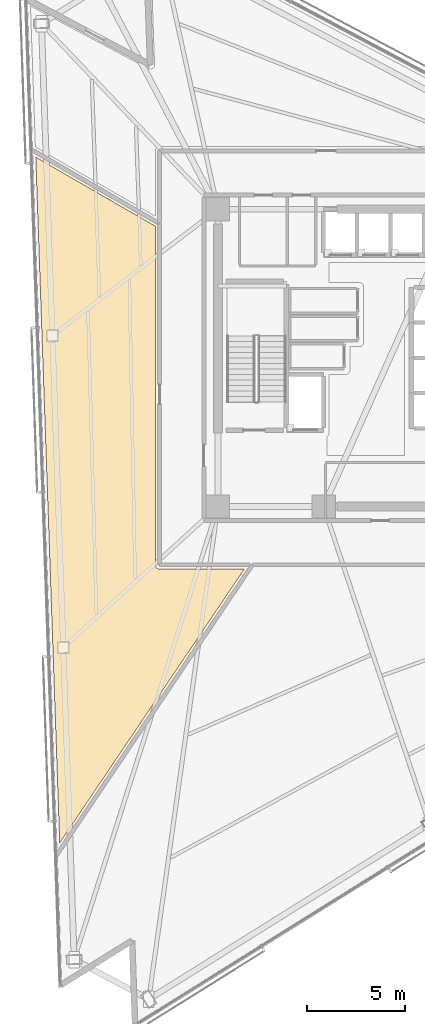
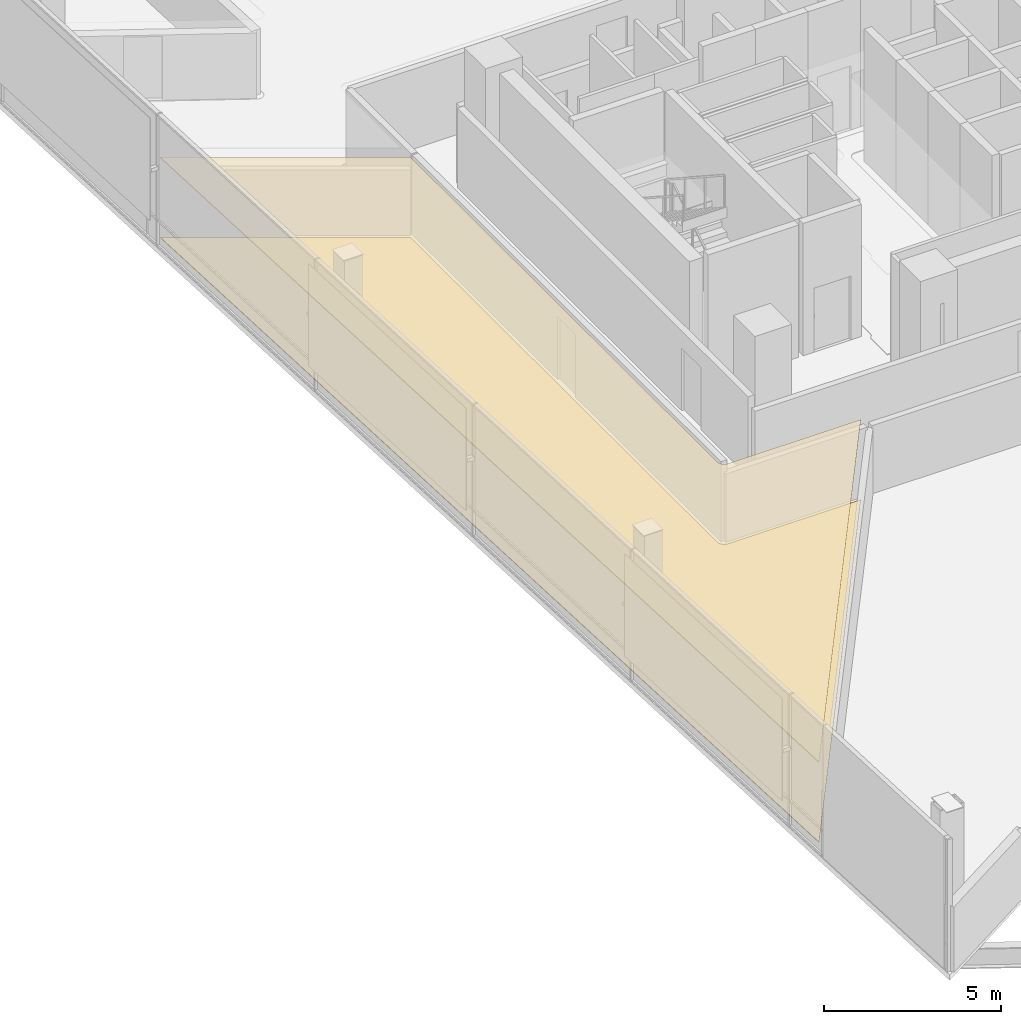
# One storey, part 17 of 19: 2 coverings.
"""IFC4 building model written with IfcOpenShell, lengths in metres."""

import ifcopenshell
import ifcopenshell.guid

model = None  # the IFC model being written
_history = None  # IfcOwnerHistory: only IFC2X3 demands one
_inside = {}  # id of a spatial element -> (the spatial element, [elements in it])
_under = {}  # id of a project, library or spatial element -> (it, [spatial elements below it])
_declared = {}  # id of a project -> (the project, [libraries it declares])
_typed = {}  # id of a type object -> (the type object, [elements of that type])
_made_of = {}  # id of a material, layer set ... -> (it, [elements and type objects made of it])


def new_model(schema):
    """Start an empty IFC model of exactly this schema.

    Asked for "IFC4X3", IfcOpenShell would pick the latest addendum, in which some entities
    have other attributes; the version numbers below select the first issue.
    IFC2X3 requires an IfcOwnerHistory on every rooted entity: one is made here for all.
    """
    global model, _history
    if schema == "IFC4X3":
        model = ifcopenshell.file(schema_version=(4, 3, 0, 0))
    else:
        model = ifcopenshell.file(schema=schema)
    _inside.clear()
    _under.clear()
    _declared.clear()
    _typed.clear()
    _made_of.clear()
    _history = None
    if model.schema == "IFC2X3":
        org = make("IfcOrganization", Name="unknown")
        user = make(
            "IfcPersonAndOrganization",
            ThePerson=make("IfcPerson", FamilyName="unknown"),
            TheOrganization=org,
        )
        app = make(
            "IfcApplication",
            ApplicationDeveloper=org,
            Version="unknown",
            ApplicationFullName="unknown",
            ApplicationIdentifier="unknown",
        )
        _history = make(
            "IfcOwnerHistory",
            OwningUser=user,
            OwningApplication=app,
            ChangeAction="ADDED",
            CreationDate=0,
        )
    return model


def make(cls, **values):
    """One entity of the class cls with the attributes given. An attribute that is None is left unset."""
    return model.create_entity(
        cls, **{name: value for name, value in values.items() if value is not None}
    )


def rooted(cls, **values):
    """An entity with a GlobalId (a new one), such as an element, a storey or a relation."""
    return make(cls, GlobalId=ifcopenshell.guid.new(), OwnerHistory=_history, **values)


def si_unit(unit_type, name, prefix=None):
    """IfcSIUnit, for example si_unit("LENGTHUNIT", "METRE", prefix="MILLI")."""
    return make("IfcSIUnit", UnitType=unit_type, Prefix=prefix, Name=name)


def assignment(units):
    """IfcUnitAssignment: the units of a project."""
    return None if units is None else make("IfcUnitAssignment", Units=units)


def point(xyz):
    """IfcCartesianPoint."""
    return None if xyz is None else make("IfcCartesianPoint", Coordinates=xyz)


def direction(xyz):
    """IfcDirection."""
    return None if xyz is None else make("IfcDirection", DirectionRatios=xyz)


def frame(location, z_axis=None, x_axis=None):
    """IfcAxis2Placement3D, a coordinate frame: its origin and axes. An axis left out is left unset."""
    return make(
        "IfcAxis2Placement3D",
        Location=point(location),
        Axis=direction(z_axis),
        RefDirection=direction(x_axis),
    )


def origin():
    """The frame at (0, 0, 0) with its axes left unset."""
    return frame((0.0, 0.0, 0.0))


def place(relative_to, where):
    """IfcLocalPlacement: puts the frame where relative to a parent placement (None: the world)."""
    return make(
        "IfcLocalPlacement", PlacementRelTo=relative_to, RelativePlacement=where
    )


def context(
    kind, dimensions, precision=None, world=None, true_north=None, identifier=None
):
    """IfcGeometricRepresentationContext, for example the 3D "Model" context."""
    return make(
        "IfcGeometricRepresentationContext",
        ContextIdentifier=identifier,
        ContextType=kind,
        CoordinateSpaceDimension=dimensions,
        Precision=precision,
        WorldCoordinateSystem=world,
        TrueNorth=true_north,
    )


def subcontext(parent, identifier, kind, view, scale=None):
    """IfcGeometricRepresentationSubContext, for example "Body" below "Model"."""
    return make(
        "IfcGeometricRepresentationSubContext",
        ContextIdentifier=identifier,
        ContextType=kind,
        ParentContext=parent,
        TargetScale=scale,
        TargetView=view,
    )


def project(units=None, contexts=None):
    """IfcProject with its units and contexts."""
    return rooted(
        "IfcProject",
        Name="project",
        RepresentationContexts=contexts,
        UnitsInContext=assignment(units),
    )


def spatial(cls, under=None, at=None, **own):
    """A site, building, storey or space (cls), placed at a placement, below another one or the project."""
    s = rooted(cls, ObjectPlacement=at, **own)
    if under is not None:
        _under.setdefault(under.id(), (under, []))[1].append(s)
    return s


def polyline(points):
    """IfcPolyline through the points."""
    return make("IfcPolyline", Points=[point(p) for p in points])


def outline(outer, holes=None, kind="AREA"):
    """IfcArbitraryClosedProfileDef: a profile drawn as a closed curve; with holes, ...WithVoids."""
    if holes is None:
        return make("IfcArbitraryClosedProfileDef", ProfileType=kind, OuterCurve=outer)
    return make(
        "IfcArbitraryProfileDefWithVoids",
        ProfileType=kind,
        OuterCurve=outer,
        InnerCurves=holes,
    )


def extrude(swept, where, along, depth):
    """IfcExtrudedAreaSolid: the profile swept, set in the frame where, extruded along a direction by depth."""
    return make(
        "IfcExtrudedAreaSolid",
        SweptArea=swept,
        Position=where,
        ExtrudedDirection=direction(along),
        Depth=depth,
    )


def shape(context_of_items, identifier, shape_type, items):
    """IfcShapeRepresentation: the items that make up one representation, for example the "Body"."""
    return make(
        "IfcShapeRepresentation",
        ContextOfItems=context_of_items,
        RepresentationIdentifier=identifier,
        RepresentationType=shape_type,
        Items=items,
    )


def material(Name=None, Category=None):
    """IfcMaterial."""
    return make("IfcMaterial", Name=Name, Category=Category)


def layer(
    of_material, thickness, ventilated=None, Name=None, Category=None, Priority=None
):
    """IfcMaterialLayer: one layer of a wall or slab, of a material (None: an air gap)."""
    return make(
        "IfcMaterialLayer",
        Material=of_material,
        LayerThickness=thickness,
        IsVentilated=ventilated,
        Name=Name,
        Category=Category,
        Priority=Priority,
    )


def layer_set(layers, Name=None):
    """IfcMaterialLayerSet."""
    return make("IfcMaterialLayerSet", MaterialLayers=layers, LayerSetName=Name)


def made_of(thing, what):
    """Note that an element or type object is made of a material, layer set ...; save() writes the relation."""
    if what is not None:
        _made_of.setdefault(what.id(), (what, []))[1].append(thing)
    return thing


def type_object(cls, material=None, **own):
    """A type object (cls), such as IfcWallType, which elements share."""
    return made_of(rooted(cls, **own), material)


def element(
    cls,
    number,
    at=None,
    inside=None,
    cuts=None,
    type_object=None,
    material=None,
    context=None,
    identifier="Body",
    shape_type=None,
    held_by="IfcProductDefinitionShape",
    body=None,
    shapes=None,
    **own,
):
    """One element of the class cls, such as IfcWall. Its Tag is "e" and its number.

    at: its placement. inside: the storey or other place that contains it. cuts: it is an
    opening in that element (IfcRelVoidsElement). A single representation is given by context,
    identifier, shape_type and body (its items); several are given by shapes. held_by: the class
    of the entity that holds the representations. save() writes the other relations.
    """
    e = rooted(cls, Tag="e%d" % number, ObjectPlacement=at, **own)
    if body is not None:
        shapes = [shape(context, identifier, shape_type, body)]
    if shapes is not None:
        e.Representation = make(held_by, Representations=shapes)
    if inside is not None:
        _inside.setdefault(inside.id(), (inside, []))[1].append(e)
    if cuts is not None:
        rooted(
            "IfcRelVoidsElement", RelatingBuildingElement=cuts, RelatedOpeningElement=e
        )
    if type_object is not None:
        _typed.setdefault(type_object.id(), (type_object, []))[1].append(e)
    return made_of(e, material)


def aggregate(whole, parts):
    """IfcRelAggregates: a whole, such as a stair, and the parts it consists of."""
    return rooted("IfcRelAggregates", RelatingObject=whole, RelatedObjects=parts)


def save(model, path):
    """Write the relations noted so far, then the file.

    IfcRelAggregates (storeys below a building ...), IfcRelContainedInSpatialStructure (elements
    in a storey), IfcRelDefinesByType, IfcRelAssociatesMaterial and IfcRelDeclares: one each for
    every whole, place, type object, material and project.
    """
    for whole, parts in _under.values():
        aggregate(whole, parts)
    for where, things in _inside.values():
        rooted(
            "IfcRelContainedInSpatialStructure",
            RelatedElements=things,
            RelatingStructure=where,
        )
    for kind, things in _typed.values():
        rooted("IfcRelDefinesByType", RelatedObjects=things, RelatingType=kind)
    for what, things in _made_of.values():
        rooted("IfcRelAssociatesMaterial", RelatedObjects=things, RelatingMaterial=what)
    for by, libraries in _declared.values():
        rooted("IfcRelDeclares", RelatingContext=by, RelatedDefinitions=libraries)
    model.write(path)


model = new_model("IFC4")

# Units and contexts
model_context = context("Model", 3, precision=1e-05, world=origin(), true_north=direction((0.0, 1.0)))
body_context = subcontext(model_context, "Body", "Model", "MODEL_VIEW")
ifc_project = project(units=[si_unit("LENGTHUNIT", "METRE"), si_unit("AREAUNIT", "SQUARE_METRE"), si_unit("VOLUMEUNIT", "CUBIC_METRE"), si_unit("PLANEANGLEUNIT", "RADIAN"), si_unit("MASSUNIT", "GRAM", prefix="KILO")], contexts=[model_context])

# Site, building, storey
site_placement = place(None, origin())
site = spatial("IfcSite", under=ifc_project, at=site_placement, CompositionType="ELEMENT")
building_placement = place(site_placement, origin())
building = spatial("IfcBuilding", under=site, at=building_placement, Name="Tharavind Bronze Gate", CompositionType="ELEMENT")
storey_placement = place(building_placement, frame((0.0, 0.0, 160.39990234375)))
storey = spatial("IfcBuildingStorey", under=building, at=storey_placement, Name="L41", CompositionType="ELEMENT", Elevation=160.39990234375)

# Coverings
ifc_material_1 = material(Name="Engineered Oak & Carpet Tile", Category="wood")
ifc_layer_1 = layer(ifc_material_1, 0.02490234375)
ifc_layer_set_1 = layer_set([ifc_layer_1], Name="Engineered Oak & Carpet Tile")
covering_type_1 = type_object("IfcCoveringType", Name="ENGINEERED TIMBER FLOORING", PredefinedType="FLOORING", material=ifc_layer_set_1)
covering_1_placement = place(storey_placement, origin())
element("IfcCovering", 1, at=covering_1_placement, inside=storey, type_object=covering_type_1, Name="L41-RM-02 floor finish", PredefinedType="FLOORING", context=body_context, shape_type="SweptSolid", body=[
    extrude(outline(polyline([(-16.992431640625, -24.798828125), (-7.550048828125, -10.800048828125), (-11.87939453125, -10.800048828125), (-11.89013671875, -10.7998046875), (-11.890869140625, -10.7998046875), (-11.912353515625, -10.797607421875), (-11.933349609375, -10.79345703125), (-11.9541015625, -10.787109375), (-11.97412109375, -10.77880859375), (-11.9931640625, -10.768798828125), (-12.010986328125, -10.756591796875), (-12.027587890625, -10.742919921875), (-12.04296875, -10.727783203125), (-12.056640625, -10.7109375), (-12.068603515625, -10.693115234375), (-12.078857421875, -10.674072265625), (-12.087158203125, -10.654052734375), (-12.093505859375, -10.63330078125), (-12.09765625, -10.6123046875), (-12.099609375, -10.5908203125), (-12.099609375, -10.590087890625), (-12.10009765625, -10.579345703125), (-12.10009765625, 6.73193359375), (-18.216796875, 10.263427734375), (-16.992431640625, -24.798828125)])), origin(), (0.0, 0.0, 1.0), 0.025146484375),
])
ifc_material_2 = material(Name="Acoustic Gypsum Board", Category="gypsum")
ifc_layer_2 = layer(ifc_material_2, 0.030029296875)
ifc_layer_set_2 = layer_set([ifc_layer_2], Name="Acoustic Gypsum Board")
covering_type_2 = type_object("IfcCoveringType", Name="GYPSUM SUSPENDED CEILING", PredefinedType="CEILING", material=ifc_layer_set_2)
covering_2_placement = place(storey_placement, frame((0.0, 0.0, 2.75)))
element("IfcCovering", 2, at=covering_2_placement, inside=storey, type_object=covering_type_2, Name="L41-RM-02 suspended ceiling", PredefinedType="CEILING", context=body_context, shape_type="SweptSolid", body=[
    extrude(outline(polyline([(-16.992431640625, -24.798828125), (-7.550048828125, -10.800048828125), (-11.87939453125, -10.800048828125), (-11.89013671875, -10.7998046875), (-11.890869140625, -10.7998046875), (-11.912353515625, -10.797607421875), (-11.933349609375, -10.79345703125), (-11.9541015625, -10.787109375), (-11.97412109375, -10.77880859375), (-11.9931640625, -10.768798828125), (-12.010986328125, -10.756591796875), (-12.027587890625, -10.742919921875), (-12.04296875, -10.727783203125), (-12.056640625, -10.7109375), (-12.068603515625, -10.693115234375), (-12.078857421875, -10.674072265625), (-12.087158203125, -10.654052734375), (-12.093505859375, -10.63330078125), (-12.09765625, -10.6123046875), (-12.099609375, -10.5908203125), (-12.099609375, -10.590087890625), (-12.10009765625, -10.579345703125), (-12.10009765625, 6.73193359375), (-18.216796875, 10.263427734375), (-16.992431640625, -24.798828125)])), origin(), (0.0, 0.0, 1.0), 0.03515625),
])

save(model, "model.ifc")
